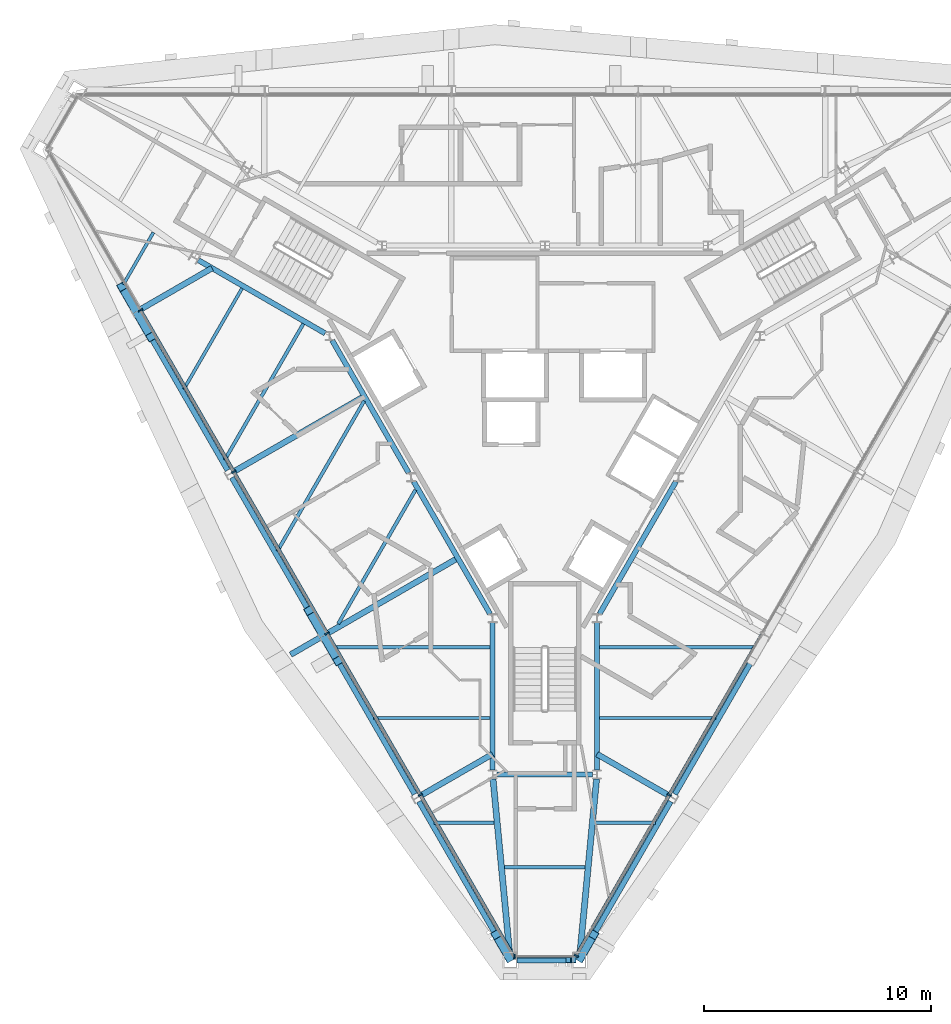
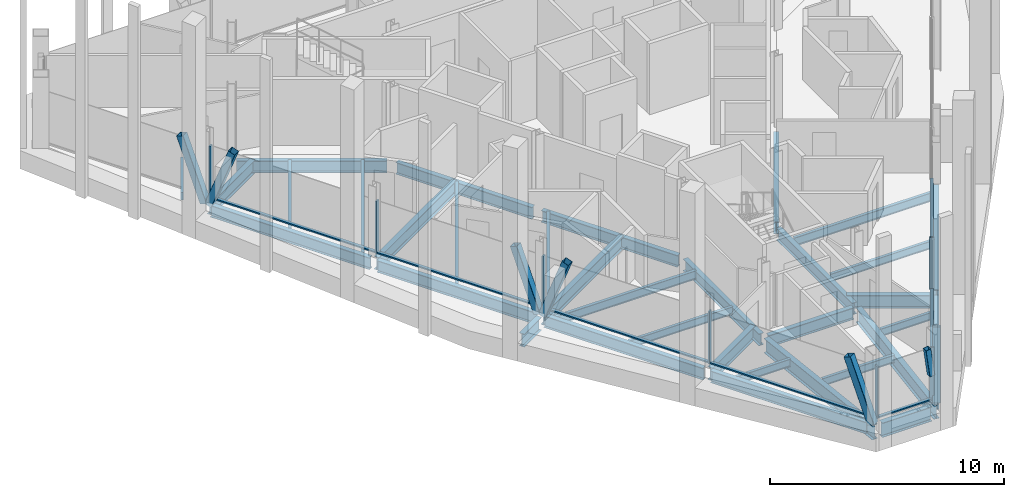
# One storey, part 3 of 13: 34 beams, 21 members, 3 elements without a shape of their own.
"""IFC4 building model written with IfcOpenShell, lengths in metres."""

from ifc_helpers import new_model, si_unit, direction, frame, origin, origin_2d, place, context, subcontext, project, spatial, rectangle, hollow_rectangle, i_section, extrude, material, material_profile, profile_set, type_object, element, aggregate, save


model = new_model("IFC4")

# Units and contexts
model_context = context("Model", 3, precision=1e-05, world=origin(), true_north=direction((0.0, 1.0)))
body_context = subcontext(model_context, "Body", "Model", "MODEL_VIEW")
ifc_project = project(units=[si_unit("LENGTHUNIT", "METRE"), si_unit("AREAUNIT", "SQUARE_METRE"), si_unit("VOLUMEUNIT", "CUBIC_METRE"), si_unit("PLANEANGLEUNIT", "RADIAN"), si_unit("MASSUNIT", "GRAM", prefix="KILO")], contexts=[model_context])

# Site, building, storey
site_placement = place(None, origin())
site = spatial("IfcSite", under=ifc_project, at=site_placement, CompositionType="ELEMENT")
building_placement = place(site_placement, origin())
building = spatial("IfcBuilding", under=site, at=building_placement, Name="Verrane Prism Tower", CompositionType="ELEMENT")
storey_placement = place(building_placement, frame((0.0, 0.0, 286.199951171875)))
storey = spatial("IfcBuildingStorey", under=building, at=storey_placement, Name="L72", CompositionType="ELEMENT", Elevation=286.199951171875)

# Member
ifc_material_1 = material(Name="Steel A500 Grade C", Category="steel")
ifc_material_profile_1 = material_profile(ifc_material_1, hollow_rectangle(XDim=0.25390625, YDim=0.25390625, WallThickness=0.009521484375, InnerFilletRadius=0.0048828125, OuterFilletRadius=0.014404296875, at=origin_2d()), Name="HSS10x10x3/8")
ifc_profile_set_1 = profile_set([ifc_material_profile_1], Name="Steel A500 Grade C")
member_type_1 = type_object("IfcMemberType", Name="Chamfer brace HSS10x10x3/8", PredefinedType="BRACE", material=ifc_profile_set_1)
member_1_placement = place(storey_placement, frame((1.25, -24.669921875, 1.433349609375), z_axis=(-0.135603015448, 0.0, 0.990763252347), x_axis=(0.0, -1.0, 0.0)))
element("IfcMember", 1, at=member_1_placement, inside=storey, type_object=member_type_1, Name="Chamfer brace S0 L72", PredefinedType="BRACE", context=body_context, shape_type="SweptSolid", body=[
    extrude(hollow_rectangle(XDim=0.25390625, YDim=0.25390625, WallThickness=0.009521484375, InnerFilletRadius=0.0048828125, OuterFilletRadius=0.014404296875, at=origin_2d()), origin(), (0.0, 0.0, 1.0), 1.44580078125),
])

# Beams
ifc_material_2 = material(Name="Steel A992", Category="steel")
ifc_material_profile_2 = material_profile(ifc_material_2, i_section(OverallWidth=0.2666015625, OverallDepth=0.7568359375, WebThickness=0.013916015625, FlangeThickness=0.019287109375, FilletRadius=0.0166015625, at=origin_2d()), Name="W30x108")
ifc_profile_set_2 = profile_set([ifc_material_profile_2], Name="Steel A992")
beam_type_1 = type_object("IfcBeamType", Name="Chamfer spandrel beam W30x108", PredefinedType="SPANDREL", material=ifc_profile_set_2)
beam_1_placement = place(storey_placement, frame((-1.219970703125, -24.669921875, -0.538330078125), z_axis=(1.0, 0.0, 0.0), x_axis=(0.0, 1.0, 0.0)))
element("IfcBeam", 2, at=beam_1_placement, inside=storey, type_object=beam_type_1, Name="Chamfer spandrel beam L72", PredefinedType="SPANDREL", context=body_context, shape_type="SweptSolid", body=[
    extrude(i_section(OverallWidth=0.2666015625, OverallDepth=0.7568359375, WebThickness=0.013916015625, FlangeThickness=0.019287109375, FilletRadius=0.0166015625, at=origin_2d()), origin(), (0.0, 0.0, 1.0), 2.43994140625),
])
ifc_material_3 = material(Name="Steel A992", Category="steel")
ifc_material_profile_3 = material_profile(ifc_material_3, i_section(OverallWidth=0.23046875, OverallDepth=0.6171875, WebThickness=0.01318359375, FlangeThickness=0.022216796875, FilletRadius=0.012939453125, at=origin_2d()), Name="W24x94")
ifc_profile_set_3 = profile_set([ifc_material_profile_3], Name="Steel A992")
beam_type_2 = type_object("IfcBeamType", Name="Core ring girder W24x94", PredefinedType="BEAM", material=ifc_profile_set_3)
beam_2_placement = place(storey_placement, frame((-15.267333984375, 6.160400390625, -0.55859375), z_axis=(0.866080992722, -0.499903704773, 0.0), x_axis=(0.499903704773, 0.866080992722, 0.0)))
element("IfcBeam", 3, at=beam_2_placement, inside=storey, type_object=beam_type_2, Name="Core ring girder L72", PredefinedType="BEAM", context=body_context, shape_type="SweptSolid", body=[
    extrude(i_section(OverallWidth=0.23046875, OverallDepth=0.6171875, WebThickness=0.01318359375, FlangeThickness=0.022216796875, FilletRadius=0.012939453125, at=origin_2d()), origin(), (0.0, 0.0, 1.0), 6.451904296875),
])
for number, where, z_axis, x_axis, name in (
    (4, (-9.36865234375, 2.626953125, -0.55859375), (0.499881421193, -0.866093854468, 0.0), (0.866093854468, 0.499881421193, 0.0), "Core ring girder L72"),
    (5, (-5.778564453125, -3.593017578125, -0.55859375), (0.499881421193, -0.866093854468, 0.0), (0.866093854468, 0.499881421193, 0.0), "Core ring girder L72"),
):
    element("IfcBeam", number, at=place(storey_placement, frame(where, z_axis=z_axis, x_axis=x_axis)), inside=storey, type_object=beam_type_2, Name=name, PredefinedType="BEAM", context=body_context, shape_type="SweptSolid", body=[
        extrude(i_section(OverallWidth=0.23046875, OverallDepth=0.6171875, WebThickness=0.01318359375, FlangeThickness=0.022216796875, FilletRadius=0.012939453125, at=origin_2d()), origin(), (0.0, 0.0, 1.0), 6.736083984375),
    ])
beam_3_placement = place(storey_placement, frame((-2.300048828125, -9.81298828125, -0.55859375), z_axis=(0.0, -1.0, 0.0), x_axis=(1.0, 0.0, 0.0)))
element("IfcBeam", 6, at=beam_3_placement, inside=storey, type_object=beam_type_2, Name="Core ring girder L72", PredefinedType="BEAM", context=body_context, shape_type="SweptSolid", body=[
    extrude(i_section(OverallWidth=0.23046875, OverallDepth=0.6171875, WebThickness=0.01318359375, FlangeThickness=0.022216796875, FilletRadius=0.012939453125, at=origin_2d()), origin(), (0.0, 0.0, 1.0), 6.487548828125),
])
beam_4_placement = place(storey_placement, frame((-2.099365234375, -16.5, -0.55859375), z_axis=(1.0, 0.0, 0.0), x_axis=(0.0, 1.0, 0.0)))
element("IfcBeam", 7, at=beam_4_placement, inside=storey, type_object=beam_type_2, Name="Core ring girder L72", PredefinedType="BEAM", context=body_context, shape_type="SweptSolid", body=[
    extrude(i_section(OverallWidth=0.23046875, OverallDepth=0.6171875, WebThickness=0.01318359375, FlangeThickness=0.022216796875, FilletRadius=0.012939453125, at=origin_2d()), origin(), (0.0, 0.0, 1.0), 4.19873046875),
])
beam_5_placement = place(storey_placement, frame((2.300048828125, -16.300537109375, -0.55859375), z_axis=(0.0, 1.0, 0.0), x_axis=(-1.0, 0.0, 0.0)))
element("IfcBeam", 8, at=beam_5_placement, inside=storey, type_object=beam_type_2, Name="Core ring girder L72", PredefinedType="BEAM", context=body_context, shape_type="SweptSolid", body=[
    extrude(i_section(OverallWidth=0.23046875, OverallDepth=0.6171875, WebThickness=0.01318359375, FlangeThickness=0.022216796875, FilletRadius=0.012939453125, at=origin_2d()), origin(), (0.0, 0.0, 1.0), 6.487548828125),
])
beam_6_placement = place(storey_placement, frame((2.411376953125, -9.427001953125, -0.55859375), z_axis=(0.499881421193, 0.866093854468, 0.0), x_axis=(-0.866093854468, 0.499881421193, 0.0)))
element("IfcBeam", 9, at=beam_6_placement, inside=storey, type_object=beam_type_2, Name="Core ring girder L72", PredefinedType="BEAM", context=body_context, shape_type="SweptSolid", body=[
    extrude(i_section(OverallWidth=0.23046875, OverallDepth=0.6171875, WebThickness=0.01318359375, FlangeThickness=0.022216796875, FilletRadius=0.012939453125, at=origin_2d()), origin(), (0.0, 0.0, 1.0), 6.736083984375),
])
ifc_material_4 = material(Name="Steel A992", Category="steel")
ifc_material_profile_4 = material_profile(ifc_material_4, i_section(OverallWidth=0.2666015625, OverallDepth=0.7568359375, WebThickness=0.013916015625, FlangeThickness=0.019287109375, FilletRadius=0.0166015625, at=origin_2d()), Name="W30x108")
ifc_profile_set_4 = profile_set([ifc_material_profile_4], Name="Steel A992")
beam_type_3 = type_object("IfcBeamType", Name="Corner girder W30x108", PredefinedType="BEAM", material=ifc_profile_set_4)
for number, where, z_axis, x_axis, name in (
    (10, (-1.520263671875, -24.667236328125, -0.598388671875), (-0.095045157177, 0.995472962012, 0.0), (-0.995472962012, -0.095045157177, 0.0), "Corner girder L72"),
    (11, (1.520263671875, -24.667236328125, -0.598388671875), (0.095045157177, 0.995472962012, 0.0), (-0.995472962012, 0.095045157177, 0.0), "Corner girder L72"),
):
    element("IfcBeam", number, at=place(storey_placement, frame(where, z_axis=z_axis, x_axis=x_axis)), inside=storey, type_object=beam_type_3, Name=name, PredefinedType="BEAM", context=body_context, shape_type="SweptSolid", body=[
        extrude(i_section(OverallWidth=0.2666015625, OverallDepth=0.7568359375, WebThickness=0.013916015625, FlangeThickness=0.019287109375, FilletRadius=0.0166015625, at=origin_2d()), origin(), (0.0, 0.0, 1.0), 8.00390625),
    ])

# Members
ifc_material_5 = material(Name="Steel A500 Grade C", Category="steel")
ifc_material_profile_5 = material_profile(ifc_material_5, hollow_rectangle(XDim=0.355712890625, YDim=0.355712890625, WallThickness=0.0126953125, InnerFilletRadius=0.00634765625, OuterFilletRadius=0.01904296875, at=origin_2d()), Name="HSS14x14x1/2")
ifc_profile_set_5 = profile_set([ifc_material_profile_5], Name="Steel A500 Grade C")
member_type_2 = type_object("IfcMemberType", Name="Facade brace HSS14x14x1/2", PredefinedType="BRACE", material=ifc_profile_set_5)
for number, where, z_axis, x_axis, name in (
    (12, (-18.05517578125, 3.9755859375, -0.171630859375), (-0.173954256592, 0.301496500673, 0.937464546901), (-0.866168216079, -0.499752560229, 0.0), "Facade brace SW0 L72"),
    (13, (-17.94482421875, 3.784423828125, -0.171630859375), (0.173954256592, -0.301496500673, 0.937464546901), (0.866168216079, 0.499752560229, 0.0), "Facade brace SW1 L72"),
):
    element("IfcMember", number, at=place(storey_placement, frame(where, z_axis=z_axis, x_axis=x_axis)), inside=storey, type_object=member_type_2, Name=name, PredefinedType="BRACE", context=body_context, shape_type="SweptSolid", body=[
        extrude(hollow_rectangle(XDim=0.355712890625, YDim=0.355712890625, WallThickness=0.0126953125, InnerFilletRadius=0.00634765625, OuterFilletRadius=0.01904296875, at=origin_2d()), origin(), (0.0, 0.0, 1.0), 3.361328125),
    ])
member_2_placement = place(storey_placement, frame((-9.815185546875, -10.294677734375, -0.171630859375), z_axis=(-0.173977100462, 0.301100242762, 0.937587655808), x_axis=(-0.865855019057, -0.500294998949, 0.0)))
element("IfcMember", 14, at=member_2_placement, inside=storey, type_object=member_type_2, Name="Facade brace SW2 L72", PredefinedType="BRACE", context=body_context, shape_type="SweptSolid", body=[
    extrude(hollow_rectangle(XDim=0.355712890625, YDim=0.355712890625, WallThickness=0.0126953125, InnerFilletRadius=0.00634765625, OuterFilletRadius=0.01904296875, at=origin_2d()), origin(), (0.0, 0.0, 1.0), 3.36083984375),
])
for number, where, z_axis, x_axis, name in (
    (15, (-9.704833984375, -10.485595703125, -0.171630859375), (0.173954256592, -0.301496500673, 0.937464546901), (0.866168216079, 0.499752560229, 0.0), "Facade brace SW3 L72"),
    (16, (-1.5751953125, -24.574462890625, -0.171630859375), (-0.173954256592, 0.301496500673, 0.937464546901), (-0.866168216079, -0.499752560229, 0.0), "Facade brace SW4 L72"),
    (17, (1.5751953125, -24.574462890625, -0.171630859375), (0.173954256592, 0.301496500673, 0.937464546901), (-0.866168216079, 0.499752560229, 0.0), "Facade brace SE0 L72"),
):
    element("IfcMember", number, at=place(storey_placement, frame(where, z_axis=z_axis, x_axis=x_axis)), inside=storey, type_object=member_type_2, Name=name, PredefinedType="BRACE", context=body_context, shape_type="SweptSolid", body=[
        extrude(hollow_rectangle(XDim=0.355712890625, YDim=0.355712890625, WallThickness=0.0126953125, InnerFilletRadius=0.00634765625, OuterFilletRadius=0.01904296875, at=origin_2d()), origin(), (0.0, 0.0, 1.0), 3.361328125),
    ])

# Beams
ifc_material_6 = material(Name="Steel A992", Category="steel")
ifc_material_profile_6 = material_profile(ifc_material_6, i_section(OverallWidth=0.140380859375, OverallDepth=0.40380859375, WebThickness=0.007080078125, FlangeThickness=0.01123046875, FilletRadius=0.01025390625, at=origin_2d()), Name="W16x31")
ifc_profile_set_6 = profile_set([ifc_material_profile_6], Name="Steel A992")
beam_type_4 = type_object("IfcBeamType", Name="Floor beam W16x31", PredefinedType="BEAM", material=ifc_profile_set_6)
beam_7_placement = place(storey_placement, frame((-18.565185546875, 5.089599609375, -0.36181640625), z_axis=(0.49994082229, 0.866059567356, 0.0), x_axis=(-0.866059567356, 0.49994082229, 0.0)))
element("IfcBeam", 18, at=beam_7_placement, inside=storey, type_object=beam_type_4, Name="Floor beam L72", PredefinedType="BEAM", context=body_context, shape_type="SweptSolid", body=[
    extrude(i_section(OverallWidth=0.140380859375, OverallDepth=0.40380859375, WebThickness=0.007080078125, FlangeThickness=0.01123046875, FilletRadius=0.01025390625, at=origin_2d()), origin(), (0.0, 0.0, 1.0), 2.645263671875),
])
beam_8_placement = place(storey_placement, frame((-15.902099609375, 0.474609375, -0.36181640625), z_axis=(0.500011000363, 0.866019052629, 0.0), x_axis=(-0.866019052629, 0.500011000363, 0.0)))
element("IfcBeam", 19, at=beam_8_placement, inside=storey, type_object=beam_type_4, Name="Floor beam L72", PredefinedType="BEAM", context=body_context, shape_type="SweptSolid", body=[
    extrude(i_section(OverallWidth=0.140380859375, OverallDepth=0.40380859375, WebThickness=0.007080078125, FlangeThickness=0.01123046875, FilletRadius=0.01025390625, at=origin_2d()), origin(), (0.0, 0.0, 1.0), 5.126953125),
])
beam_9_placement = place(storey_placement, frame((-7.538330078125, -14.010009765625, -0.36181640625), z_axis=(1.0, 0.0, 0.0), x_axis=(0.0, 1.0, 0.0)))
element("IfcBeam", 20, at=beam_9_placement, inside=storey, type_object=beam_type_4, Name="Floor beam L72", PredefinedType="BEAM", context=body_context, shape_type="SweptSolid", body=[
    extrude(i_section(OverallWidth=0.140380859375, OverallDepth=0.40380859375, WebThickness=0.007080078125, FlangeThickness=0.01123046875, FilletRadius=0.01025390625, at=origin_2d()), origin(), (0.0, 0.0, 1.0), 5.123291015625),
])
for number, where, z_axis, x_axis, name in (
    (21, (-4.876220703125, -18.623291015625, -0.36181640625), (1.0, 0.0, 0.0), (0.0, 1.0, 0.0), "Floor beam L72"),
    (22, (2.2314453125, -18.623291015625, -0.36181640625), (1.0, 0.0, 0.0), (0.0, 1.0, 0.0), "Floor beam L72"),
):
    element("IfcBeam", number, at=place(storey_placement, frame(where, z_axis=z_axis, x_axis=x_axis)), inside=storey, type_object=beam_type_4, Name=name, PredefinedType="BEAM", context=body_context, shape_type="SweptSolid", body=[
        extrude(i_section(OverallWidth=0.140380859375, OverallDepth=0.40380859375, WebThickness=0.007080078125, FlangeThickness=0.01123046875, FilletRadius=0.01025390625, at=origin_2d()), origin(), (0.0, 0.0, 1.0), 2.644775390625),
    ])
beam_10_placement = place(storey_placement, frame((2.4150390625, -14.010009765625, -0.36181640625), z_axis=(1.0, 0.0, 0.0), x_axis=(0.0, 1.0, 0.0)))
element("IfcBeam", 23, at=beam_10_placement, inside=storey, type_object=beam_type_4, Name="Floor beam L72", PredefinedType="BEAM", context=body_context, shape_type="SweptSolid", body=[
    extrude(i_section(OverallWidth=0.140380859375, OverallDepth=0.40380859375, WebThickness=0.007080078125, FlangeThickness=0.01123046875, FilletRadius=0.01025390625, at=origin_2d()), origin(), (0.0, 0.0, 1.0), 5.123291015625),
])
beam_11_placement = place(storey_placement, frame((-1.77587890625, -20.5849609375, -0.36181640625), z_axis=(1.0, 0.0, 0.0), x_axis=(0.0, 1.0, 0.0)))
element("IfcBeam", 24, at=beam_11_placement, inside=storey, type_object=beam_type_4, Name="Floor beam L72", PredefinedType="BEAM", context=body_context, shape_type="SweptSolid", body=[
    extrude(i_section(OverallWidth=0.140380859375, OverallDepth=0.40380859375, WebThickness=0.007080078125, FlangeThickness=0.01123046875, FilletRadius=0.01025390625, at=origin_2d()), origin(), (0.0, 0.0, 1.0), 3.5517578125),
])
ifc_material_7 = material(Name="Steel A992", Category="steel")
ifc_material_profile_7 = material_profile(ifc_material_7, i_section(OverallWidth=0.15234375, OverallDepth=0.449462890625, WebThickness=0.007568359375, FlangeThickness=0.0107421875, FilletRadius=0.01025390625, at=origin_2d()), Name="W18x35")
ifc_profile_set_7 = profile_set([ifc_material_profile_7], Name="Steel A992")
beam_type_5 = type_object("IfcBeamType", Name="Floor beam W18x35", PredefinedType="BEAM", material=ifc_profile_set_7)
beam_12_placement = place(storey_placement, frame((-14.1015625, -2.64599609375, -0.384765625), z_axis=(0.49999287541, 0.866029517129, 0.0), x_axis=(-0.866029517129, 0.49999287541, 0.0)))
element("IfcBeam", 25, at=beam_12_placement, inside=storey, type_object=beam_type_5, Name="Floor beam L72", PredefinedType="BEAM", context=body_context, shape_type="SweptSolid", body=[
    extrude(i_section(OverallWidth=0.15234375, OverallDepth=0.449462890625, WebThickness=0.007568359375, FlangeThickness=0.0107421875, FilletRadius=0.01025390625, at=origin_2d()), origin(), (0.0, 0.0, 1.0), 6.92919921875),
])
beam_13_placement = place(storey_placement, frame((-9.103271484375, -9.864501953125, -0.384765625), z_axis=(0.49999337185, 0.866029230515, 0.0), x_axis=(-0.866029230515, 0.49999337185, 0.0)))
element("IfcBeam", 26, at=beam_13_placement, inside=storey, type_object=beam_type_5, Name="Floor beam L72", PredefinedType="BEAM", context=body_context, shape_type="SweptSolid", body=[
    extrude(i_section(OverallWidth=0.15234375, OverallDepth=0.449462890625, WebThickness=0.007568359375, FlangeThickness=0.0107421875, FilletRadius=0.01025390625, at=origin_2d()), origin(), (0.0, 0.0, 1.0), 6.8125),
])
beam_14_placement = place(storey_placement, frame((-11.78076171875, -6.6630859375, -0.384765625), z_axis=(0.499997113229, 0.866027070456, 0.0), x_axis=(-0.866027070456, 0.499997113229, 0.0)))
element("IfcBeam", 27, at=beam_14_placement, inside=storey, type_object=beam_type_5, Name="Floor beam L72", PredefinedType="BEAM", context=body_context, shape_type="SweptSolid", body=[
    extrude(i_section(OverallWidth=0.15234375, OverallDepth=0.449462890625, WebThickness=0.007568359375, FlangeThickness=0.0107421875, FilletRadius=0.01025390625, at=origin_2d()), origin(), (0.0, 0.0, 1.0), 7.64306640625),
])
for number, where, z_axis, x_axis, name in (
    (28, (-9.338623046875, -10.889892578125, -0.384765625), (1.0, 0.0, 0.0), (0.0, 1.0, 0.0), "Floor beam L72"),
    (29, (2.4150390625, -10.889892578125, -0.384765625), (1.0, 0.0, 0.0), (0.0, 1.0, 0.0), "Floor beam L72"),
):
    element("IfcBeam", number, at=place(storey_placement, frame(where, z_axis=z_axis, x_axis=x_axis)), inside=storey, type_object=beam_type_5, Name=name, PredefinedType="BEAM", context=body_context, shape_type="SweptSolid", body=[
        extrude(i_section(OverallWidth=0.15234375, OverallDepth=0.449462890625, WebThickness=0.007568359375, FlangeThickness=0.0107421875, FilletRadius=0.01025390625, at=origin_2d()), origin(), (0.0, 0.0, 1.0), 6.923583984375),
    ])

# Curtain wall, members
ifc_material_8 = material(Name="Aluminium framed insulated glazing", Category="aluminium")
curtain_wall_type = type_object("IfcCurtainWallType", Name="Curtain wall CW-A 8400 module", PredefinedType="NOTDEFINED", material=ifc_material_8)
curtain_wall_1_placement = place(storey_placement, origin())
curtain_wall_1 = element("IfcCurtainWall", 30, at=curtain_wall_1_placement, inside=storey, type_object=curtain_wall_type, Name="Glazed curtain wall south-west face L72", PredefinedType="NOTDEFINED")
ifc_material_9 = material(Name="Aluminium alloy 6063-T6", Category="aluminium")
ifc_material_profile_8 = material_profile(ifc_material_9, rectangle(XDim=0.199951171875, YDim=0.070068359375, at=origin_2d()), Name="Mullion 70x200 aluminium")
ifc_profile_set_8 = profile_set([ifc_material_profile_8], Name="Aluminium alloy 6063-T6")
member_type_3 = type_object("IfcMemberType", Name="Mullion 70x200 aluminium", PredefinedType="MULLION", material=ifc_profile_set_8)
member_3_placement = place(storey_placement, frame((-17.8095703125, 3.952392578125, 0.0), z_axis=(0.0, 0.0, 1.0), x_axis=(0.866024861728, 0.500000938868, 0.0)))
member_3 = element("IfcMember", 31, at=member_3_placement, type_object=member_type_3, Name="CW72.4 mullion 2", PredefinedType="MULLION", context=body_context, shape_type="SweptSolid", body=[
    extrude(rectangle(XDim=0.199951171875, YDim=0.070068359375, at=origin_2d()), origin(), (0.0, 0.0, 1.0), 2.72314453125),
])
member_4_placement = place(storey_placement, frame((-13.7001953125, -3.1650390625, 0.0), z_axis=(0.0, 0.0, 1.0), x_axis=(0.866024861728, 0.500000938868, 0.0)))
member_4 = element("IfcMember", 32, at=member_4_placement, type_object=member_type_3, Name="CW72.4 mullion 3", PredefinedType="MULLION", context=body_context, shape_type="SweptSolid", body=[
    extrude(rectangle(XDim=0.199951171875, YDim=0.070068359375, at=origin_2d()), origin(), (0.0, 0.0, 1.0), 2.72314453125),
])
member_5_placement = place(storey_placement, frame((-9.591064453125, -10.2822265625, 0.0), z_axis=(0.0, 0.0, 1.0), x_axis=(0.866024861728, 0.500000938868, 0.0)))
member_5 = element("IfcMember", 33, at=member_5_placement, type_object=member_type_3, Name="CW72.4 mullion 4", PredefinedType="MULLION", context=body_context, shape_type="SweptSolid", body=[
    extrude(rectangle(XDim=0.199951171875, YDim=0.070068359375, at=origin_2d()), origin(), (0.0, 0.0, 1.0), 2.72314453125),
])
member_6_placement = place(storey_placement, frame((-5.48193359375, -17.399658203125, 0.0), z_axis=(0.0, 0.0, 1.0), x_axis=(0.866024861728, 0.500000938868, 0.0)))
member_6 = element("IfcMember", 34, at=member_6_placement, type_object=member_type_3, Name="CW72.4 mullion 5", PredefinedType="MULLION", context=body_context, shape_type="SweptSolid", body=[
    extrude(rectangle(XDim=0.199951171875, YDim=0.070068359375, at=origin_2d()), origin(), (0.0, 0.0, 1.0), 2.72314453125),
])

# Curtain wall, member
curtain_wall_2_placement = place(storey_placement, origin())
curtain_wall_2 = element("IfcCurtainWall", 35, at=curtain_wall_2_placement, inside=storey, type_object=curtain_wall_type, Name="Glazed curtain wall south corner L72", PredefinedType="NOTDEFINED")
member_7_placement = place(storey_placement, frame((-1.337646484375, -24.51708984375, 0.0), z_axis=(0.0, 0.0, 1.0), x_axis=(0.0, 1.0, 0.0)))
member_7 = element("IfcMember", 36, at=member_7_placement, type_object=member_type_3, Name="CW72.5 mullion 1", PredefinedType="MULLION", context=body_context, shape_type="SweptSolid", body=[
    extrude(rectangle(XDim=0.199951171875, YDim=0.070068359375, at=origin_2d()), origin(), (0.0, 0.0, 1.0), 2.72314453125),
])

# Curtain wall, members
curtain_wall_3_placement = place(storey_placement, origin())
curtain_wall_3 = element("IfcCurtainWall", 37, at=curtain_wall_3_placement, inside=storey, type_object=curtain_wall_type, Name="Glazed curtain wall south-east face L72", PredefinedType="NOTDEFINED")
member_8_placement = place(storey_placement, frame((1.39013671875, -24.486572265625, 0.0), z_axis=(0.0, 0.0, 1.0), x_axis=(-0.866024861728, 0.500000938868, 0.0)))
member_8 = element("IfcMember", 38, at=member_8_placement, type_object=member_type_3, Name="CW72.6 mullion 1", PredefinedType="MULLION", context=body_context, shape_type="SweptSolid", body=[
    extrude(rectangle(XDim=0.199951171875, YDim=0.070068359375, at=origin_2d()), origin(), (0.0, 0.0, 1.0), 2.72314453125),
])
member_9_placement = place(storey_placement, frame((5.48193359375, -17.399658203125, 0.0), z_axis=(0.0, 0.0, 1.0), x_axis=(-0.866024861728, 0.500000938868, 0.0)))
member_9 = element("IfcMember", 39, at=member_9_placement, type_object=member_type_3, Name="CW72.6 mullion 2", PredefinedType="MULLION", context=body_context, shape_type="SweptSolid", body=[
    extrude(rectangle(XDim=0.199951171875, YDim=0.070068359375, at=origin_2d()), origin(), (0.0, 0.0, 1.0), 2.72314453125),
])

# Beams
ifc_material_10 = material(Name="Steel A992", Category="steel")
ifc_material_profile_9 = material_profile(ifc_material_10, i_section(OverallWidth=0.25390625, OverallDepth=0.683349609375, WebThickness=0.012451171875, FlangeThickness=0.01904296875, FilletRadius=0.01513671875, at=origin_2d()), Name="W27x94")
ifc_profile_set_9 = profile_set([ifc_material_profile_9], Name="Steel A992")
beam_type_6 = type_object("IfcBeamType", Name="Radial girder W27x94", PredefinedType="BEAM", material=ifc_profile_set_9)
beam_15_placement = place(storey_placement, frame((-17.840576171875, 3.97216796875, -0.5615234375), z_axis=(0.866042841795, 0.499969795263, 0.0), x_axis=(-0.499969795263, 0.866042841795, 0.0)))
element("IfcBeam", 40, at=beam_15_placement, inside=storey, type_object=beam_type_6, Name="Radial girder L72", PredefinedType="BEAM", context=body_context, shape_type="SweptSolid", body=[
    extrude(i_section(OverallWidth=0.25390625, OverallDepth=0.683349609375, WebThickness=0.012451171875, FlangeThickness=0.01904296875, FilletRadius=0.01513671875, at=origin_2d()), origin(), (0.0, 0.0, 1.0), 3.674072265625),
])
beam_16_placement = place(storey_placement, frame((-13.720458984375, -3.16796875, -0.5615234375), z_axis=(0.866025791777, 0.499999327977, 0.0), x_axis=(-0.499999327977, 0.866025791777, 0.0)))
element("IfcBeam", 41, at=beam_16_placement, inside=storey, type_object=beam_type_6, Name="Radial girder L72", PredefinedType="BEAM", context=body_context, shape_type="SweptSolid", body=[
    extrude(i_section(OverallWidth=0.25390625, OverallDepth=0.683349609375, WebThickness=0.012451171875, FlangeThickness=0.01904296875, FilletRadius=0.01513671875, at=origin_2d()), origin(), (0.0, 0.0, 1.0), 6.666015625),
])
beam_17_placement = place(storey_placement, frame((-9.6005859375, -10.2978515625, -0.5615234375), z_axis=(0.866031183428, 0.49998998923, 0.0), x_axis=(-0.49998998923, 0.866031183428, 0.0)))
element("IfcBeam", 42, at=beam_17_placement, inside=storey, type_object=beam_type_6, Name="Radial girder L72", PredefinedType="BEAM", context=body_context, shape_type="SweptSolid", body=[
    extrude(i_section(OverallWidth=0.25390625, OverallDepth=0.683349609375, WebThickness=0.012451171875, FlangeThickness=0.01904296875, FilletRadius=0.01513671875, at=origin_2d()), origin(), (0.0, 0.0, 1.0), 6.661865234375),
])
for number, where, z_axis, x_axis, name in (
    (43, (-5.48046875, -17.43798828125, -0.5615234375), (0.866029490193, 0.499992922065, 0.0), (-0.499992922065, 0.866029490193, 0.0), "Radial girder L72"),
    (44, (5.48046875, -17.43798828125, -0.5615234375), (-0.866029490193, 0.499992922065, 0.0), (-0.499992922065, -0.866029490193, 0.0), "Radial girder L72"),
):
    element("IfcBeam", number, at=place(storey_placement, frame(where, z_axis=z_axis, x_axis=x_axis)), inside=storey, type_object=beam_type_6, Name=name, PredefinedType="BEAM", context=body_context, shape_type="SweptSolid", body=[
        extrude(i_section(OverallWidth=0.25390625, OverallDepth=0.683349609375, WebThickness=0.012451171875, FlangeThickness=0.01904296875, FilletRadius=0.01513671875, at=origin_2d()), origin(), (0.0, 0.0, 1.0), 3.67236328125),
    ])
beam_18_placement = place(storey_placement, frame((-9.916015625, -10.47998046875, -0.5615234375), z_axis=(-0.865968359144, -0.500098791201, 0.0), x_axis=(0.500098791201, -0.865968359144, 0.0)))
element("IfcBeam", 45, at=beam_18_placement, inside=storey, type_object=beam_type_6, Name="Cantilever girder L72", PredefinedType="BEAM", context=body_context, shape_type="SweptSolid", body=[
    extrude(i_section(OverallWidth=0.25390625, OverallDepth=0.683349609375, WebThickness=0.012451171875, FlangeThickness=0.01904296875, FilletRadius=0.01513671875, at=origin_2d()), origin(), (0.0, 0.0, 1.0), 1.478759765625),
])
ifc_material_11 = material(Name="Steel A992", Category="steel")
ifc_material_profile_10 = material_profile(ifc_material_11, i_section(OverallWidth=0.23046875, OverallDepth=0.6171875, WebThickness=0.01318359375, FlangeThickness=0.022216796875, FilletRadius=0.012939453125, at=origin_2d()), Name="W24x94")
ifc_profile_set_10 = profile_set([ifc_material_profile_10], Name="Steel A992")
beam_type_7 = type_object("IfcBeamType", Name="Spandrel beam W24x94", PredefinedType="SPANDREL", material=ifc_profile_set_10)
beam_19_placement = place(storey_placement, frame((-17.90673828125, 3.71826171875, -0.468505859375), z_axis=(0.499786009893, -0.866148915785, 0.0), x_axis=(0.866148915785, 0.499786009893, 0.0)))
element("IfcBeam", 46, at=beam_19_placement, inside=storey, type_object=beam_type_7, Name="Spandrel beam L72", PredefinedType="SPANDREL", context=body_context, shape_type="SweptSolid", body=[
    extrude(i_section(OverallWidth=0.23046875, OverallDepth=0.6171875, WebThickness=0.01318359375, FlangeThickness=0.022216796875, FilletRadius=0.012939453125, at=origin_2d()), origin(), (0.0, 0.0, 1.0), 7.8701171875),
])
beam_20_placement = place(storey_placement, frame((-13.78662109375, -3.421630859375, -0.468505859375), z_axis=(0.500300363133, -0.865851919585, 0.0), x_axis=(0.865851919585, 0.500300363133, 0.0)))
element("IfcBeam", 47, at=beam_20_placement, inside=storey, type_object=beam_type_7, Name="Spandrel beam L72", PredefinedType="SPANDREL", context=body_context, shape_type="SweptSolid", body=[
    extrude(i_section(OverallWidth=0.23046875, OverallDepth=0.6171875, WebThickness=0.01318359375, FlangeThickness=0.022216796875, FilletRadius=0.012939453125, at=origin_2d()), origin(), (0.0, 0.0, 1.0), 7.861572265625),
])
beam_21_placement = place(storey_placement, frame((-9.666748046875, -10.5517578125, -0.468505859375), z_axis=(0.499786009893, -0.866148915785, 0.0), x_axis=(0.866148915785, 0.499786009893, 0.0)))
element("IfcBeam", 48, at=beam_21_placement, inside=storey, type_object=beam_type_7, Name="Spandrel beam L72", PredefinedType="SPANDREL", context=body_context, shape_type="SweptSolid", body=[
    extrude(i_section(OverallWidth=0.23046875, OverallDepth=0.6171875, WebThickness=0.01318359375, FlangeThickness=0.022216796875, FilletRadius=0.012939453125, at=origin_2d()), origin(), (0.0, 0.0, 1.0), 7.8701171875),
])
for number, where, z_axis, x_axis, name in (
    (49, (-5.546630859375, -17.691650390625, -0.468505859375), (0.499783212018, -0.866150530211, 0.0), (0.866150530211, 0.499783212018, 0.0), "Spandrel beam L72"),
    (50, (1.721923828125, -24.320068359375, -0.468505859375), (0.499783212018, 0.866150530211, 0.0), (-0.866150530211, 0.499783212018, 0.0), "Spandrel beam L72"),
):
    element("IfcBeam", number, at=place(storey_placement, frame(where, z_axis=z_axis, x_axis=x_axis)), inside=storey, type_object=beam_type_7, Name=name, PredefinedType="SPANDREL", context=body_context, shape_type="SweptSolid", body=[
        extrude(i_section(OverallWidth=0.23046875, OverallDepth=0.6171875, WebThickness=0.01318359375, FlangeThickness=0.022216796875, FilletRadius=0.012939453125, at=origin_2d()), origin(), (0.0, 0.0, 1.0), 7.65283203125),
    ])
beam_22_placement = place(storey_placement, frame((5.7333984375, -17.368408203125, -0.468505859375), z_axis=(0.499786009893, 0.866148915785, 0.0), x_axis=(-0.866148915785, 0.499786009893, 0.0)))
element("IfcBeam", 51, at=beam_22_placement, inside=storey, type_object=beam_type_7, Name="Spandrel beam L72", PredefinedType="SPANDREL", context=body_context, shape_type="SweptSolid", body=[
    extrude(i_section(OverallWidth=0.23046875, OverallDepth=0.6171875, WebThickness=0.01318359375, FlangeThickness=0.022216796875, FilletRadius=0.012939453125, at=origin_2d()), origin(), (0.0, 0.0, 1.0), 7.8701171875),
])

# Member
ifc_material_12 = material(Name="Aluminium alloy 6063-T6", Category="aluminium")
ifc_material_profile_11 = material_profile(ifc_material_12, rectangle(XDim=0.14990234375, YDim=0.070068359375, at=origin_2d()), Name="Transom 70x150 aluminium")
ifc_profile_set_11 = profile_set([ifc_material_profile_11], Name="Aluminium alloy 6063-T6")
member_type_4 = type_object("IfcMemberType", Name="Transom 70x150 aluminium", PredefinedType="USERDEFINED", material=ifc_profile_set_11)
member_10_placement = place(storey_placement, frame((-17.7919921875, 3.922119140625, 0.03515625), z_axis=(0.500006018292, -0.866021929094, 0.0), x_axis=(0.866021929094, 0.500006018292, 0.0)))
member_10 = element("IfcMember", 52, at=member_10_placement, type_object=member_type_4, Name="CW72.4 transom 2", ObjectType="TRANSOM", PredefinedType="USERDEFINED", context=body_context, shape_type="SweptSolid", body=[
    extrude(rectangle(XDim=0.14990234375, YDim=0.070068359375, at=origin_2d()), origin(), (0.0, 0.0, 1.0), 8.1484375),
])

member_11_placement = place(storey_placement, frame((-13.682861328125, -3.1953125, 0.03515625), z_axis=(0.500006018292, -0.866021929094, 0.0), x_axis=(0.866021929094, 0.500006018292, 0.0)))
member_11 = element("IfcMember", 53, at=member_11_placement, type_object=member_type_4, Name="CW72.4 transom 3", ObjectType="TRANSOM", PredefinedType="USERDEFINED", context=body_context, shape_type="SweptSolid", body=[
    extrude(rectangle(XDim=0.14990234375, YDim=0.070068359375, at=origin_2d()), origin(), (0.0, 0.0, 1.0), 8.1484375),
])

member_12_placement = place(storey_placement, frame((-9.573486328125, -10.3125, 0.03515625), z_axis=(0.499993044538, -0.866029419485, 0.0), x_axis=(0.866029419485, 0.499993044538, 0.0)))
member_12 = element("IfcMember", 54, at=member_12_placement, type_object=member_type_4, Name="CW72.4 transom 4", ObjectType="TRANSOM", PredefinedType="USERDEFINED", context=body_context, shape_type="SweptSolid", body=[
    extrude(rectangle(XDim=0.14990234375, YDim=0.070068359375, at=origin_2d()), origin(), (0.0, 0.0, 1.0), 8.1484375),
])

member_13_placement = place(storey_placement, frame((-5.46435546875, -17.429931640625, 0.03515625), z_axis=(0.500002215902, -0.866024124429, 0.0), x_axis=(0.866024124429, 0.500002215902, 0.0)))
member_13 = element("IfcMember", 55, at=member_13_placement, type_object=member_type_4, Name="CW72.4 transom 5", ObjectType="TRANSOM", PredefinedType="USERDEFINED", context=body_context, shape_type="SweptSolid", body=[
    extrude(rectangle(XDim=0.14990234375, YDim=0.070068359375, at=origin_2d()), origin(), (0.0, 0.0, 1.0), 8.18359375),
])

aggregate(curtain_wall_1, [member_3, member_4, member_5, member_6, member_10, member_11, member_12, member_13])

member_14_placement = place(storey_placement, frame((-1.302490234375, -24.51708984375, 0.03515625), z_axis=(1.0, 0.0, 0.0), x_axis=(0.0, 1.0, 0.0)))
member_14 = element("IfcMember", 56, at=member_14_placement, type_object=member_type_4, Name="CW72.5 transom 1", ObjectType="TRANSOM", PredefinedType="USERDEFINED", context=body_context, shape_type="SweptSolid", body=[
    extrude(rectangle(XDim=0.14990234375, YDim=0.070068359375, at=origin_2d()), origin(), (0.0, 0.0, 1.0), 2.675048828125),
])

aggregate(curtain_wall_2, [member_7, member_14])

member_15_placement = place(storey_placement, frame((1.40771484375, -24.456298828125, 0.03515625), z_axis=(0.499996823547, 0.866027237703, 0.0), x_axis=(-0.866027237703, 0.499996823547, 0.0)))
member_15 = element("IfcMember", 57, at=member_15_placement, type_object=member_type_4, Name="CW72.6 transom 1", ObjectType="TRANSOM", PredefinedType="USERDEFINED", context=body_context, shape_type="SweptSolid", body=[
    extrude(rectangle(XDim=0.14990234375, YDim=0.070068359375, at=origin_2d()), origin(), (0.0, 0.0, 1.0), 8.11328125),
])

member_16_placement = place(storey_placement, frame((5.499267578125, -17.369384765625, 0.03515625), z_axis=(0.499993044538, 0.866029419485, 0.0), x_axis=(-0.866029419485, 0.499993044538, 0.0)))
member_16 = element("IfcMember", 58, at=member_16_placement, type_object=member_type_4, Name="CW72.6 transom 2", ObjectType="TRANSOM", PredefinedType="USERDEFINED", context=body_context, shape_type="SweptSolid", body=[
    extrude(rectangle(XDim=0.14990234375, YDim=0.070068359375, at=origin_2d()), origin(), (0.0, 0.0, 1.0), 8.1484375),
])

aggregate(curtain_wall_3, [member_8, member_9, member_15, member_16])

save(model, "model.ifc")
